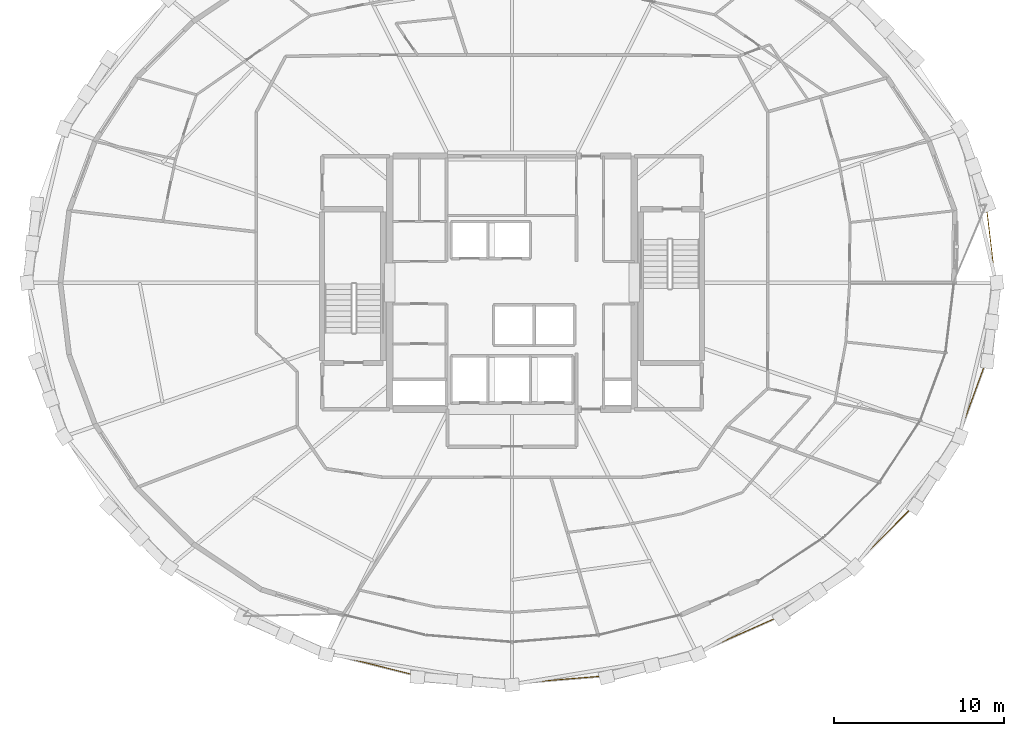
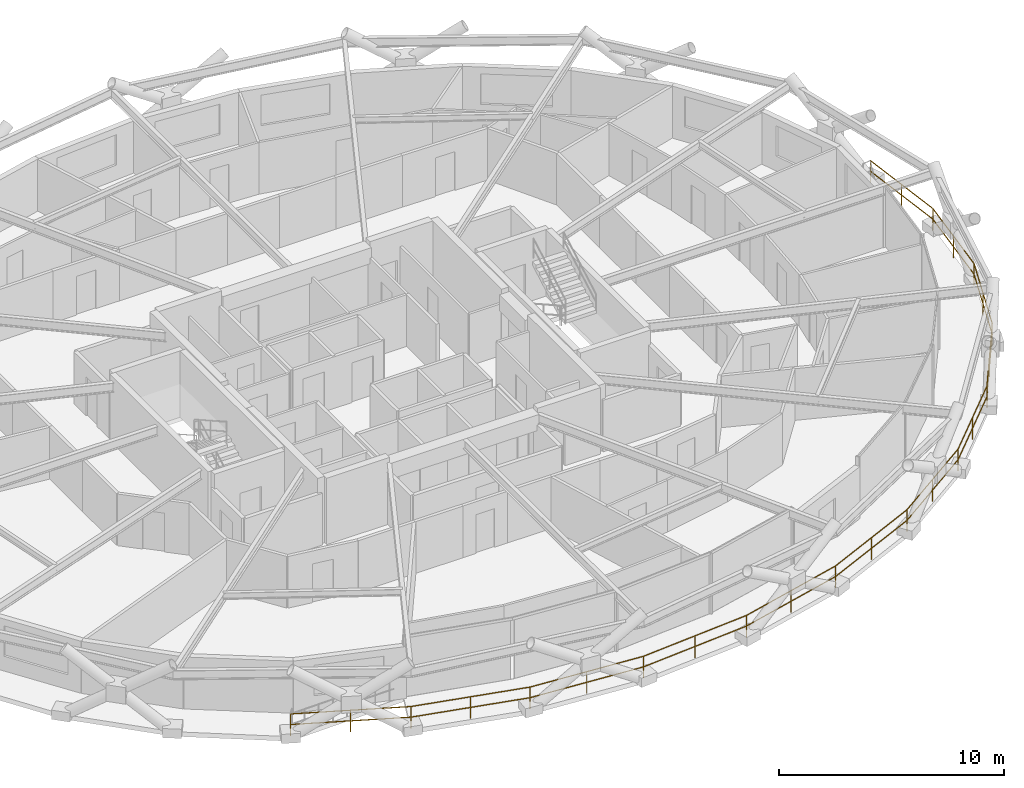
# One storey, part 19 of 20: 1 railing.
"""IFC4 building model written with IfcOpenShell, lengths in metres."""

from ifc_helpers import new_model, si_unit, direction, frame, origin, origin_2d, place, context, subcontext, project, spatial, circle, extrude, material, type_object, element, save


model = new_model("IFC4")

# Units and contexts
model_context = context("Model", 3, precision=1e-05, world=origin(), true_north=direction((0.0, 1.0)))
body_context = subcontext(model_context, "Body", "Model", "MODEL_VIEW")
ifc_project = project(units=[si_unit("LENGTHUNIT", "METRE"), si_unit("AREAUNIT", "SQUARE_METRE"), si_unit("VOLUMEUNIT", "CUBIC_METRE"), si_unit("PLANEANGLEUNIT", "RADIAN"), si_unit("MASSUNIT", "GRAM", prefix="KILO")], contexts=[model_context])

# Site, building, storey
site_placement = place(None, origin())
site = spatial("IfcSite", under=ifc_project, at=site_placement, CompositionType="ELEMENT")
building_placement = place(site_placement, origin())
building = spatial("IfcBuilding", under=site, at=building_placement, Name="Veldorina Hangang Commons", CompositionType="ELEMENT")
storey_placement = place(building_placement, frame((0.0, 0.0, 131.60009765625)))
storey = spatial("IfcBuildingStorey", under=building, at=storey_placement, Name="L33", CompositionType="ELEMENT", Elevation=131.60009765625)

# Railing
ifc_material = material(Name="Glass Laminated Safety Balustrade", Category="glass")
railing_type = type_object("IfcRailingType", Name="RL-BAL-LOGGIA", PredefinedType="BALUSTRADE", material=ifc_material)
railing_placement = place(storey_placement, frame((16.192138671875, 4.37255859375, 0.0)))
element("IfcRailing", 1, at=railing_placement, inside=storey, type_object=railing_type, Name="L33 sky-garden loggia outer balustrade", PredefinedType="BALUSTRADE", context=body_context, shape_type="SweptSolid", body=[
    extrude(circle(Radius=0.02392578125, at=origin_2d()), frame((0.0, 0.0, 1.17578125), z_axis=(0.914355148657, -0.404913153804, 0.0), x_axis=(0.404913153804, 0.914355148657, 0.0)), (0.0, 0.0, 1.0), 5.38134765625),
    extrude(circle(Radius=0.02392578125, at=origin_2d()), frame((0.0, 0.0, 0.60009765625), z_axis=(0.914355148657, -0.404913153804, 0.0), x_axis=(0.404913153804, 0.914355148657, 0.0)), (0.0, 0.0, 1.0), 5.38134765625),
    extrude(circle(Radius=0.02392578125, at=origin_2d()), frame((4.92041015625, -2.178955078125, 1.17578125), z_axis=(0.969846918358, -0.243714905066, 0.0), x_axis=(0.243714905066, 0.969846918358, 0.0)), (0.0, 0.0, 1.0), 5.503662109375),
    extrude(circle(Radius=0.02392578125, at=origin_2d()), frame((4.92041015625, -2.178955078125, 0.60009765625), z_axis=(0.969846918358, -0.243714905066, 0.0), x_axis=(0.243714905066, 0.969846918358, 0.0)), (0.0, 0.0, 1.0), 5.503662109375),
    extrude(circle(Radius=0.02392578125, at=origin_2d()), frame((10.258056640625, -3.520263671875, 1.17578125), z_axis=(0.996687009911, -0.081332676552, 0.0), x_axis=(0.081332676552, 0.996687009911, 0.0)), (0.0, 0.0, 1.0), 5.568359375),
    extrude(circle(Radius=0.02392578125, at=origin_2d()), frame((10.258056640625, -3.520263671875, 0.60009765625), z_axis=(0.996687009911, -0.081332676552, 0.0), x_axis=(0.081332676552, 0.996687009911, 0.0)), (0.0, 0.0, 1.0), 5.568359375),
    extrude(circle(Radius=0.02392578125, at=origin_2d()), frame((15.807861328125, -3.97314453125, 1.17578125), z_axis=(0.996687009911, 0.081332676552, 0.0), x_axis=(-0.081332676552, 0.996687009911, 0.0)), (0.0, 0.0, 1.0), 5.568359375),
    extrude(circle(Radius=0.02392578125, at=origin_2d()), frame((15.807861328125, -3.97314453125, 0.60009765625), z_axis=(0.996687009911, 0.081332676552, 0.0), x_axis=(-0.081332676552, 0.996687009911, 0.0)), (0.0, 0.0, 1.0), 5.568359375),
    extrude(circle(Radius=0.02392578125, at=origin_2d()), frame((21.357666015625, -3.520263671875, 1.17578125), z_axis=(0.969846918358, 0.243714905066, 0.0), x_axis=(-0.243714905066, 0.969846918358, 0.0)), (0.0, 0.0, 1.0), 5.503662109375),
    extrude(circle(Radius=0.02392578125, at=origin_2d()), frame((21.357666015625, -3.520263671875, 0.60009765625), z_axis=(0.969846918358, 0.243714905066, 0.0), x_axis=(-0.243714905066, 0.969846918358, 0.0)), (0.0, 0.0, 1.0), 5.503662109375),
    extrude(circle(Radius=0.02392578125, at=origin_2d()), frame((26.6953125, -2.178955078125, 1.17578125), z_axis=(0.914355148657, 0.404913153804, 0.0), x_axis=(-0.404913153804, 0.914355148657, 0.0)), (0.0, 0.0, 1.0), 5.38134765625),
    extrude(circle(Radius=0.02392578125, at=origin_2d()), frame((26.6953125, -2.178955078125, 0.60009765625), z_axis=(0.914355148657, 0.404913153804, 0.0), x_axis=(-0.404913153804, 0.914355148657, 0.0)), (0.0, 0.0, 1.0), 5.38134765625),
    extrude(circle(Radius=0.02392578125, at=origin_2d()), frame((31.61572265625, 0.0, 1.17578125), z_axis=(0.826896036982, 0.562354820397, 0.0), x_axis=(-0.562354820397, 0.826896036982, 0.0)), (0.0, 0.0, 1.0), 5.217041015625),
    extrude(circle(Radius=0.02392578125, at=origin_2d()), frame((31.61572265625, 0.0, 0.60009765625), z_axis=(0.826896036982, 0.562354820397, 0.0), x_axis=(-0.562354820397, 0.826896036982, 0.0)), (0.0, 0.0, 1.0), 5.217041015625),
    extrude(circle(Radius=0.02392578125, at=origin_2d()), frame((35.9296875, 2.933837890625, 1.17578125), z_axis=(0.703629847618, 0.710566701683, 0.0), x_axis=(-0.710566701683, 0.703629847618, 0.0)), (0.0, 0.0, 1.0), 5.032958984375),
    extrude(circle(Radius=0.02392578125, at=origin_2d()), frame((35.9296875, 2.933837890625, 0.60009765625), z_axis=(0.703629847618, 0.710566701683, 0.0), x_axis=(-0.710566701683, 0.703629847618, 0.0)), (0.0, 0.0, 1.0), 5.032958984375),
    extrude(circle(Radius=0.02392578125, at=origin_2d()), frame((39.470947265625, 6.510009765625, 1.17578125), z_axis=(0.541979149095, 0.840391933533, 0.0), x_axis=(-0.840391933533, 0.541979149095, 0.0)), (0.0, 0.0, 1.0), 4.8564453125),
    extrude(circle(Radius=0.02392578125, at=origin_2d()), frame((39.470947265625, 6.510009765625, 0.60009765625), z_axis=(0.541979149095, 0.840391933533, 0.0), x_axis=(-0.840391933533, 0.541979149095, 0.0)), (0.0, 0.0, 1.0), 4.8564453125),
    extrude(circle(Radius=0.02392578125, at=origin_2d()), frame((42.10302734375, 10.59130859375, 1.17578125), z_axis=(0.343704009748, 0.939078033863, 0.0), x_axis=(-0.939078033863, 0.343704009748, 0.0)), (0.0, 0.0, 1.0), 4.716552734375),
    extrude(circle(Radius=0.02392578125, at=origin_2d()), frame((42.10302734375, 10.59130859375, 0.60009765625), z_axis=(0.343704009748, 0.939078033863, 0.0), x_axis=(-0.939078033863, 0.343704009748, 0.0)), (0.0, 0.0, 1.0), 4.716552734375),
    extrude(circle(Radius=0.02392578125, at=origin_2d()), frame((43.72412109375, 15.0205078125, 1.17578125), z_axis=(0.117983094005, 0.99301560387, 0.0), x_axis=(-0.99301560387, 0.117983094005, 0.0)), (0.0, 0.0, 1.0), 4.639404296875),
    extrude(circle(Radius=0.02392578125, at=origin_2d()), frame((43.72412109375, 15.0205078125, 0.60009765625), z_axis=(0.117983094005, 0.99301560387, 0.0), x_axis=(-0.99301560387, 0.117983094005, 0.0)), (0.0, 0.0, 1.0), 4.639404296875),
    extrude(circle(Radius=0.02392578125, at=origin_2d()), frame((44.271484375, 19.62744140625, 1.17578125), z_axis=(-0.117983094005, 0.99301560387, 0.0), x_axis=(-0.99301560387, -0.117983094005, 0.0)), (0.0, 0.0, 1.0), 4.639404296875),
    extrude(circle(Radius=0.02392578125, at=origin_2d()), frame((44.271484375, 19.62744140625, 0.60009765625), z_axis=(-0.117983094005, 0.99301560387, 0.0), x_axis=(-0.99301560387, -0.117983094005, 0.0)), (0.0, 0.0, 1.0), 4.639404296875),
    extrude(circle(Radius=0.02099609375, at=origin_2d()), origin(), (0.0, 0.0, 1.0), 1.15185546875),
    extrude(circle(Radius=0.02099609375, at=origin_2d()), frame((2.460205078125, -1.08935546875, 0.0)), (0.0, 0.0, 1.0), 1.15185546875),
    extrude(circle(Radius=0.02099609375, at=origin_2d()), frame((4.92041015625, -2.178955078125, 0.0)), (0.0, 0.0, 1.0), 1.15185546875),
    extrude(circle(Radius=0.02099609375, at=origin_2d()), frame((7.58935546875, -2.849609375, 0.0)), (0.0, 0.0, 1.0), 1.15185546875),
    extrude(circle(Radius=0.02099609375, at=origin_2d()), frame((10.258056640625, -3.520263671875, 0.0)), (0.0, 0.0, 1.0), 1.15185546875),
    extrude(circle(Radius=0.02099609375, at=origin_2d()), frame((13.032958984375, -3.74658203125, 0.0)), (0.0, 0.0, 1.0), 1.15185546875),
    extrude(circle(Radius=0.02099609375, at=origin_2d()), frame((15.807861328125, -3.97314453125, 0.0)), (0.0, 0.0, 1.0), 1.15185546875),
    extrude(circle(Radius=0.02099609375, at=origin_2d()), frame((18.582763671875, -3.74658203125, 0.0)), (0.0, 0.0, 1.0), 1.15185546875),
    extrude(circle(Radius=0.02099609375, at=origin_2d()), frame((21.357666015625, -3.520263671875, 0.0)), (0.0, 0.0, 1.0), 1.15185546875),
    extrude(circle(Radius=0.02099609375, at=origin_2d()), frame((24.0263671875, -2.849609375, 0.0)), (0.0, 0.0, 1.0), 1.15185546875),
    extrude(circle(Radius=0.02099609375, at=origin_2d()), frame((26.6953125, -2.178955078125, 0.0)), (0.0, 0.0, 1.0), 1.15185546875),
    extrude(circle(Radius=0.02099609375, at=origin_2d()), frame((29.155517578125, -1.08935546875, 0.0)), (0.0, 0.0, 1.0), 1.15185546875),
    extrude(circle(Radius=0.02099609375, at=origin_2d()), frame((31.61572265625, 0.0, 0.0)), (0.0, 0.0, 1.0), 1.15185546875),
    extrude(circle(Radius=0.02099609375, at=origin_2d()), frame((33.772705078125, 1.466796875, 0.0)), (0.0, 0.0, 1.0), 1.15185546875),
    extrude(circle(Radius=0.02099609375, at=origin_2d()), frame((35.9296875, 2.933837890625, 0.0)), (0.0, 0.0, 1.0), 1.15185546875),
    extrude(circle(Radius=0.02099609375, at=origin_2d()), frame((37.7001953125, 4.721923828125, 0.0)), (0.0, 0.0, 1.0), 1.15185546875),
    extrude(circle(Radius=0.02099609375, at=origin_2d()), frame((39.470947265625, 6.510009765625, 0.0)), (0.0, 0.0, 1.0), 1.15185546875),
    extrude(circle(Radius=0.02099609375, at=origin_2d()), frame((40.787109375, 8.55078125, 0.0)), (0.0, 0.0, 1.0), 1.15185546875),
    extrude(circle(Radius=0.02099609375, at=origin_2d()), frame((42.10302734375, 10.59130859375, 0.0)), (0.0, 0.0, 1.0), 1.15185546875),
    extrude(circle(Radius=0.02099609375, at=origin_2d()), frame((42.91357421875, 12.805908203125, 0.0)), (0.0, 0.0, 1.0), 1.15185546875),
    extrude(circle(Radius=0.02099609375, at=origin_2d()), frame((43.72412109375, 15.0205078125, 0.0)), (0.0, 0.0, 1.0), 1.15185546875),
    extrude(circle(Radius=0.02099609375, at=origin_2d()), frame((43.997802734375, 17.323974609375, 0.0)), (0.0, 0.0, 1.0), 1.15185546875),
    extrude(circle(Radius=0.02099609375, at=origin_2d()), frame((44.271484375, 19.62744140625, 0.0)), (0.0, 0.0, 1.0), 1.15185546875),
    extrude(circle(Radius=0.02099609375, at=origin_2d()), frame((43.997802734375, 21.930908203125, 0.0)), (0.0, 0.0, 1.0), 1.15185546875),
    extrude(circle(Radius=0.02099609375, at=origin_2d()), frame((43.72412109375, 24.234375, 0.0)), (0.0, 0.0, 1.0), 1.15185546875),
])

save(model, "model.ifc")
